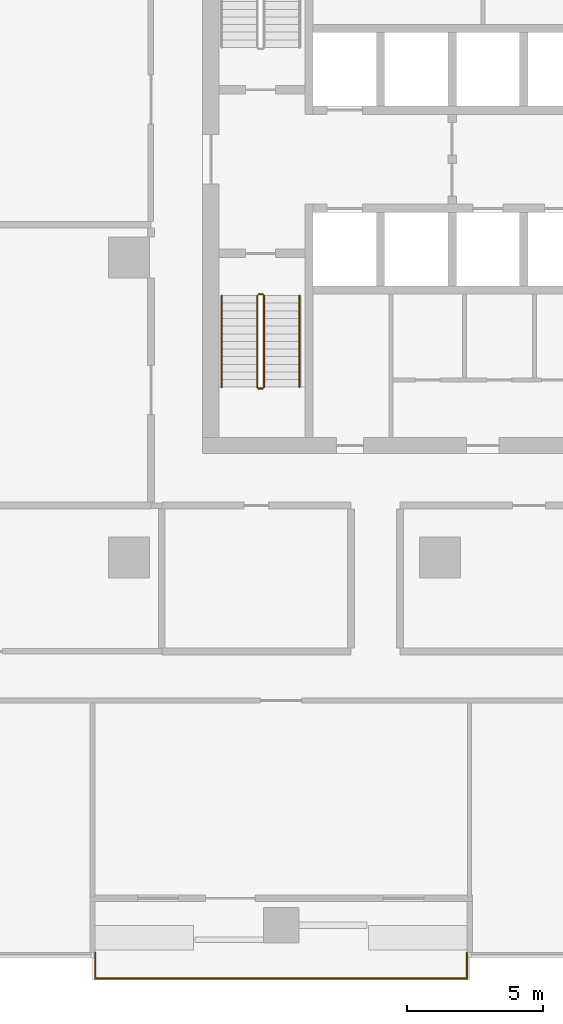
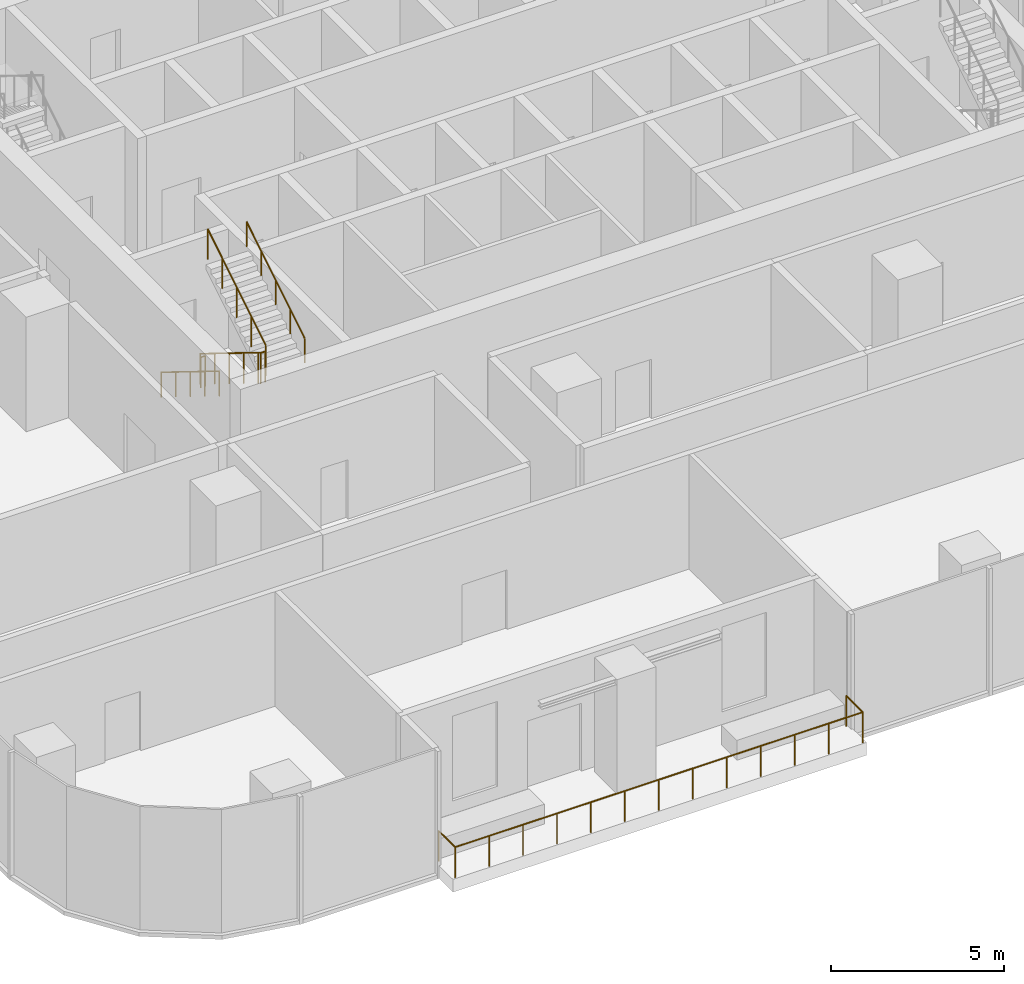
# One storey, part 12 of 14: 6 railings.
"""IFC4 building model written with IfcOpenShell, lengths in metres."""

from ifc_helpers import new_model, si_unit, direction, frame, origin, origin_2d, place, context, subcontext, project, spatial, circle, extrude, material, type_object, element, save


model = new_model("IFC4")

# Units and contexts
model_context = context("Model", 3, precision=1e-05, world=origin(), true_north=direction((0.0, 1.0)))
body_context = subcontext(model_context, "Body", "Model", "MODEL_VIEW")
ifc_project = project(units=[si_unit("LENGTHUNIT", "METRE"), si_unit("AREAUNIT", "SQUARE_METRE"), si_unit("VOLUMEUNIT", "CUBIC_METRE"), si_unit("PLANEANGLEUNIT", "RADIAN"), si_unit("MASSUNIT", "GRAM", prefix="KILO")], contexts=[model_context])

# Site, building, storey
site_placement = place(None, origin())
site = spatial("IfcSite", under=ifc_project, at=site_placement, CompositionType="ELEMENT")
building_placement = place(site_placement, origin())
building = spatial("IfcBuilding", under=site, at=building_placement, Name="Mopane Tessera Tower", CompositionType="ELEMENT")
storey_placement = place(building_placement, frame((0.0, 0.0, 126.10009765625)))
storey = spatial("IfcBuildingStorey", under=building, at=storey_placement, Name="L25", CompositionType="ELEMENT", Elevation=126.10009765625)

# Railings
ifc_material_1 = material(Name="Powder-coated steel balustrade", Category="steel")
railing_type_1 = type_object("IfcRailingType", Name="Escape stair guard 1100 mm", PredefinedType="GUARDRAIL", material=ifc_material_1)
railing_1_placement = place(storey_placement, frame((-12.39990234375, -1.39990234375, 0.173095703125)))
element("IfcRailing", 1, at=railing_1_placement, inside=storey, type_object=railing_type_1, Name="L25 ST1 stair guard 1", PredefinedType="GUARDRAIL", context=body_context, shape_type="SweptSolid", body=[
    extrude(circle(Radius=0.02392578125, at=origin_2d()), frame((0.0, 0.0, 1.076171875), z_axis=(0.0, -0.850623216509, 0.525775754039), x_axis=(1.0, 0.0, 0.0)), (0.0, 0.0, 1.0), 3.9501953125),
    extrude(circle(Radius=0.02392578125, at=origin_2d()), frame((0.0, -3.360107421875, 3.15283203125), z_axis=(0.705375805398, -0.708833529934, 0.0), x_axis=(0.708833529934, 0.705375805398, 0.0)), (0.0, 0.0, 1.0), 0.070556640625),
    extrude(circle(Radius=0.02392578125, at=origin_2d()), frame((0.0498046875, -3.41015625, 3.15283203125), z_axis=(1.0, 0.0, 0.0), x_axis=(0.0, 1.0, 0.0)), (0.0, 0.0, 1.0), 0.150146484375),
    extrude(circle(Radius=0.02099609375, at=origin_2d()), origin(), (0.0, 0.0, 1.0), 1.052001953125),
    extrude(circle(Radius=0.02099609375, at=origin_2d()), frame((0.0, -0.840087890625, 0.519287109375)), (0.0, 0.0, 1.0), 1.052001953125),
    extrude(circle(Radius=0.02099609375, at=origin_2d()), frame((0.0, -1.68017578125, 1.03857421875)), (0.0, 0.0, 1.0), 1.052001953125),
    extrude(circle(Radius=0.02099609375, at=origin_2d()), frame((0.0, -2.52001953125, 1.5576171875)), (0.0, 0.0, 1.0), 1.052001953125),
    extrude(circle(Radius=0.02099609375, at=origin_2d()), frame((0.0, -3.360107421875, 2.076904296875)), (0.0, 0.0, 1.0), 1.052001953125),
    extrude(circle(Radius=0.02099609375, at=origin_2d()), frame((0.0498046875, -3.41015625, 2.076904296875)), (0.0, 0.0, 1.0), 1.052001953125),
    extrude(circle(Radius=0.02099609375, at=origin_2d()), frame((0.199951171875, -3.41015625, 2.076904296875)), (0.0, 0.0, 1.0), 1.052001953125),
])
railing_2_placement = place(storey_placement, frame((-12.14990234375, -4.760009765625, 2.423095703125)))
element("IfcRailing", 2, at=railing_2_placement, inside=storey, type_object=railing_type_1, Name="L25 ST1 stair guard 2", PredefinedType="GUARDRAIL", context=body_context, shape_type="SweptSolid", body=[
    extrude(circle(Radius=0.02392578125, at=origin_2d()), frame((0.0, 0.0, 1.076171875), z_axis=(0.0, 0.850623216509, 0.525775754039), x_axis=(-1.0, 0.0, 0.0)), (0.0, 0.0, 1.0), 3.9501953125),
    extrude(circle(Radius=0.02099609375, at=origin_2d()), origin(), (0.0, 0.0, 1.0), 1.052001953125),
    extrude(circle(Radius=0.02099609375, at=origin_2d()), frame((0.0, 0.840087890625, 0.519287109375)), (0.0, 0.0, 1.0), 1.052001953125),
    extrude(circle(Radius=0.02099609375, at=origin_2d()), frame((0.0, 1.68017578125, 1.03857421875)), (0.0, 0.0, 1.0), 1.052001953125),
    extrude(circle(Radius=0.02099609375, at=origin_2d()), frame((0.0, 2.52001953125, 1.5576171875)), (0.0, 0.0, 1.0), 1.052001953125),
    extrude(circle(Radius=0.02099609375, at=origin_2d()), frame((0.0, 3.360107421875, 2.076904296875)), (0.0, 0.0, 1.0), 1.052001953125),
])
railing_3_placement = place(storey_placement, frame((-12.35009765625, -1.35009765625, 0.0)))
element("IfcRailing", 3, at=railing_3_placement, inside=storey, type_object=railing_type_1, Name="L25 ST1 stair guard 3", PredefinedType="GUARDRAIL", context=body_context, shape_type="SweptSolid", body=[
    extrude(circle(Radius=0.02392578125, at=origin_2d()), frame((0.0, 0.0, 1.076171875), z_axis=(1.0, 0.0, 0.0), x_axis=(0.0, 1.0, 0.0)), (0.0, 0.0, 1.0), 0.150146484375),
    extrude(circle(Radius=0.02099609375, at=origin_2d()), origin(), (0.0, 0.0, 1.0), 1.052001953125),
    extrude(circle(Radius=0.02099609375, at=origin_2d()), frame((0.150146484375, 0.0, 0.0)), (0.0, 0.0, 1.0), 1.052001953125),
])
ifc_material_2 = material(Name="Powder-coated steel balustrade", Category="steel")
railing_type_2 = type_object("IfcRailingType", Name="Escape stair handrail 900 mm", PredefinedType="HANDRAIL", material=ifc_material_2)
railing_4_placement = place(storey_placement, frame((-13.699951171875, -1.39990234375, 0.173095703125)))
element("IfcRailing", 4, at=railing_4_placement, inside=storey, type_object=railing_type_2, Name="L25 ST1 stair handrail 1", PredefinedType="HANDRAIL", context=body_context, shape_type="SweptSolid", body=[
    extrude(circle(Radius=0.02392578125, at=origin_2d()), frame((0.0, 0.0, 0.8759765625), z_axis=(0.0, -0.850623216509, 0.525775754039), x_axis=(1.0, 0.0, 0.0)), (0.0, 0.0, 1.0), 3.9501953125),
    extrude(circle(Radius=0.02099609375, at=origin_2d()), origin(), (0.0, 0.0, 1.0), 0.851806640625),
    extrude(circle(Radius=0.02099609375, at=origin_2d()), frame((0.0, -0.840087890625, 0.519287109375)), (0.0, 0.0, 1.0), 0.851806640625),
    extrude(circle(Radius=0.02099609375, at=origin_2d()), frame((0.0, -1.68017578125, 1.03857421875)), (0.0, 0.0, 1.0), 0.851806640625),
    extrude(circle(Radius=0.02099609375, at=origin_2d()), frame((0.0, -2.52001953125, 1.5576171875)), (0.0, 0.0, 1.0), 0.851806640625),
    extrude(circle(Radius=0.02099609375, at=origin_2d()), frame((0.0, -3.360107421875, 2.076904296875)), (0.0, 0.0, 1.0), 0.851806640625),
])
railing_5_placement = place(storey_placement, frame((-10.85009765625, -4.760009765625, 2.423095703125)))
element("IfcRailing", 5, at=railing_5_placement, inside=storey, type_object=railing_type_2, Name="L25 ST1 stair handrail 2", PredefinedType="HANDRAIL", context=body_context, shape_type="SweptSolid", body=[
    extrude(circle(Radius=0.02392578125, at=origin_2d()), frame((0.0, 0.0, 0.8759765625), z_axis=(0.0, 0.850623216509, 0.525775754039), x_axis=(-1.0, 0.0, 0.0)), (0.0, 0.0, 1.0), 3.9501953125),
    extrude(circle(Radius=0.02099609375, at=origin_2d()), origin(), (0.0, 0.0, 1.0), 0.851806640625),
    extrude(circle(Radius=0.02099609375, at=origin_2d()), frame((0.0, 0.840087890625, 0.519287109375)), (0.0, 0.0, 1.0), 0.851806640625),
    extrude(circle(Radius=0.02099609375, at=origin_2d()), frame((0.0, 1.68017578125, 1.03857421875)), (0.0, 0.0, 1.0), 0.851806640625),
    extrude(circle(Radius=0.02099609375, at=origin_2d()), frame((0.0, 2.52001953125, 1.5576171875)), (0.0, 0.0, 1.0), 0.851806640625),
    extrude(circle(Radius=0.02099609375, at=origin_2d()), frame((0.0, 3.360107421875, 2.076904296875)), (0.0, 0.0, 1.0), 0.851806640625),
])
ifc_material_3 = material(Name="Stainless steel S316", Category="steel")
railing_type_3 = type_object("IfcRailingType", Name="Terrace guard 1100", PredefinedType="GUARDRAIL", material=ifc_material_3)
railing_6_placement = place(storey_placement, frame((-18.340087890625, -25.5, 0.0)))
element("IfcRailing", 6, at=railing_6_placement, inside=storey, type_object=railing_type_3, Name="e:nw:L25:N2:guard", PredefinedType="GUARDRAIL", context=body_context, shape_type="SweptSolid", body=[
    extrude(circle(Radius=0.02392578125, at=origin_2d()), frame((0.0, 0.0, 1.076171875), z_axis=(0.0, -1.0, 0.0), x_axis=(1.0, 0.0, 0.0)), (0.0, 0.0, 1.0), 0.949951171875),
    extrude(circle(Radius=0.02392578125, at=origin_2d()), frame((0.0, -0.949951171875, 1.076171875), z_axis=(1.0, 0.0, 0.0), x_axis=(0.0, 1.0, 0.0)), (0.0, 0.0, 1.0), 13.630126953125),
    extrude(circle(Radius=0.02392578125, at=origin_2d()), frame((13.630126953125, -0.949951171875, 1.076171875), z_axis=(0.0, 1.0, 0.0), x_axis=(-1.0, 0.0, 0.0)), (0.0, 0.0, 1.0), 0.949951171875),
    extrude(circle(Radius=0.02099609375, at=origin_2d()), origin(), (0.0, 0.0, 1.0), 1.052001953125),
    extrude(circle(Radius=0.02099609375, at=origin_2d()), frame((0.0, -0.949951171875, 0.0)), (0.0, 0.0, 1.0), 1.052001953125),
    extrude(circle(Radius=0.02099609375, at=origin_2d()), frame((1.1357421875, -0.949951171875, 0.0)), (0.0, 0.0, 1.0), 1.052001953125),
    extrude(circle(Radius=0.02099609375, at=origin_2d()), frame((2.271728515625, -0.949951171875, 0.0)), (0.0, 0.0, 1.0), 1.052001953125),
    extrude(circle(Radius=0.02099609375, at=origin_2d()), frame((3.407470703125, -0.949951171875, 0.0)), (0.0, 0.0, 1.0), 1.052001953125),
    extrude(circle(Radius=0.02099609375, at=origin_2d()), frame((4.54345703125, -0.949951171875, 0.0)), (0.0, 0.0, 1.0), 1.052001953125),
    extrude(circle(Radius=0.02099609375, at=origin_2d()), frame((5.67919921875, -0.949951171875, 0.0)), (0.0, 0.0, 1.0), 1.052001953125),
    extrude(circle(Radius=0.02099609375, at=origin_2d()), frame((6.81494140625, -0.949951171875, 0.0)), (0.0, 0.0, 1.0), 1.052001953125),
    extrude(circle(Radius=0.02099609375, at=origin_2d()), frame((7.950927734375, -0.949951171875, 0.0)), (0.0, 0.0, 1.0), 1.052001953125),
    extrude(circle(Radius=0.02099609375, at=origin_2d()), frame((9.086669921875, -0.949951171875, 0.0)), (0.0, 0.0, 1.0), 1.052001953125),
    extrude(circle(Radius=0.02099609375, at=origin_2d()), frame((10.22265625, -0.949951171875, 0.0)), (0.0, 0.0, 1.0), 1.052001953125),
    extrude(circle(Radius=0.02099609375, at=origin_2d()), frame((11.3583984375, -0.949951171875, 0.0)), (0.0, 0.0, 1.0), 1.052001953125),
    extrude(circle(Radius=0.02099609375, at=origin_2d()), frame((12.494384765625, -0.949951171875, 0.0)), (0.0, 0.0, 1.0), 1.052001953125),
    extrude(circle(Radius=0.02099609375, at=origin_2d()), frame((13.630126953125, -0.949951171875, 0.0)), (0.0, 0.0, 1.0), 1.052001953125),
    extrude(circle(Radius=0.02099609375, at=origin_2d()), frame((13.630126953125, 0.0, 0.0)), (0.0, 0.0, 1.0), 1.052001953125),
])

save(model, "model.ifc")
